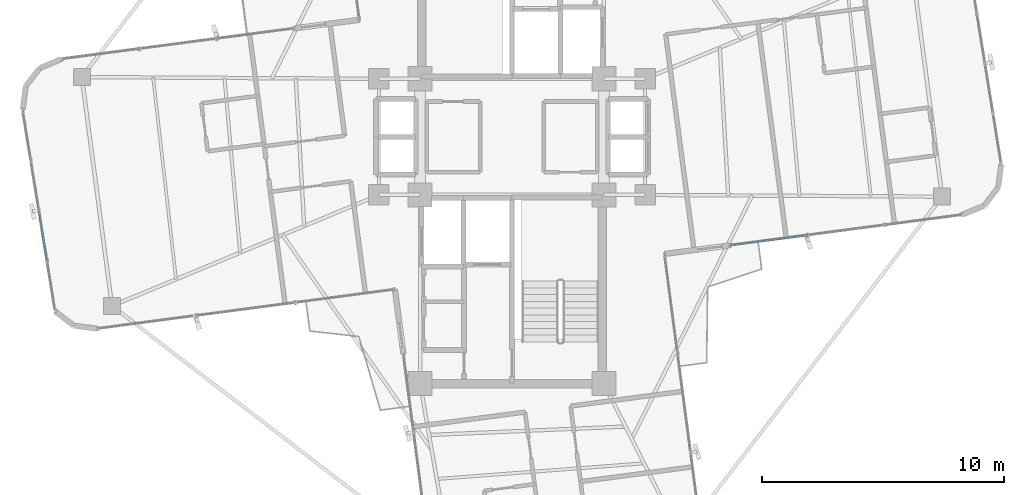
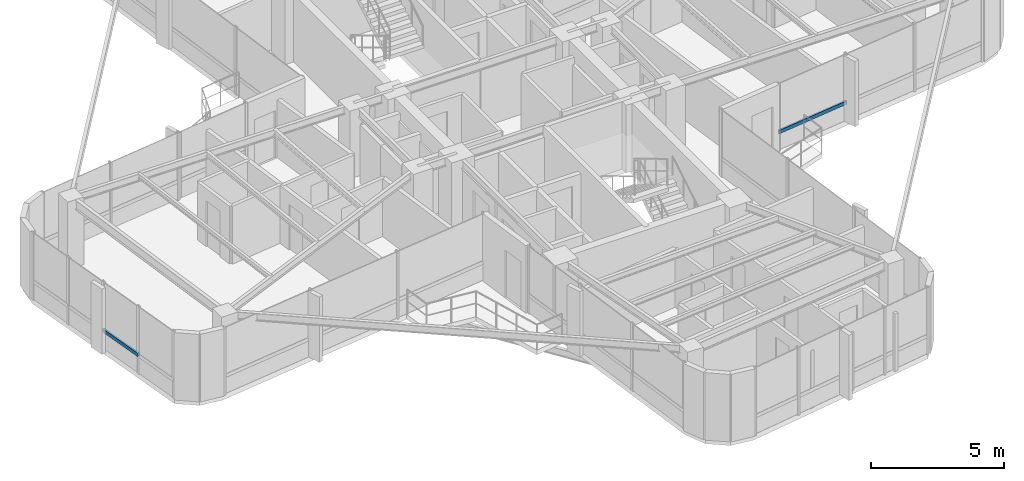
# One storey, part 6 of 22: 2 members, 2 elements without a shape of their own.
"""IFC4 building model written with IfcOpenShell, lengths in metres."""

from ifc_helpers import new_model, si_unit, direction, frame, origin, origin_2d, place, context, subcontext, project, spatial, hollow_rectangle, extrude, source, transform, mapped, material, material_profile, profile_set, type_object, element, aggregate, save


model = new_model("IFC4")

# Units and contexts
model_context = context("Model", 3, precision=1e-05, world=origin(), true_north=direction((0.0, 1.0)))
body_context = subcontext(model_context, "Body", "Model", "MODEL_VIEW")
ifc_project = project(units=[si_unit("LENGTHUNIT", "METRE"), si_unit("AREAUNIT", "SQUARE_METRE"), si_unit("VOLUMEUNIT", "CUBIC_METRE"), si_unit("PLANEANGLEUNIT", "RADIAN"), si_unit("MASSUNIT", "GRAM", prefix="KILO")], contexts=[model_context])

# Site, building, storey
site_placement = place(None, origin())
site = spatial("IfcSite", under=ifc_project, at=site_placement, CompositionType="ELEMENT")
building_placement = place(site_placement, origin())
building = spatial("IfcBuilding", under=site, at=building_placement, Name="Sahyath Konkavel Grand Hotel", CompositionType="ELEMENT")
storey_placement = place(building_placement, frame((0.0, 0.0, 241.14990234375)))
storey = spatial("IfcBuildingStorey", under=building, at=storey_placement, Name="L67", CompositionType="ELEMENT", Elevation=241.14990234375)

# Curtain wall, member
ifc_material_1 = material(Name="Anodised Bronze Aluminium & Low-E Glazing", Category="aluminium")
curtain_wall_type = type_object("IfcCurtainWallType", Name="CW-ZONE4", PredefinedType="NOTDEFINED", material=ifc_material_1)
curtain_wall_1_placement = place(storey_placement, origin())
curtain_wall_1 = element("IfcCurtainWall", 1, at=curtain_wall_1_placement, inside=storey, type_object=curtain_wall_type, Name="L67 Unitised Curtain Wall F0", PredefinedType="NOTDEFINED")
ifc_material_2 = material(Name="Anodised Bronze Aluminium", Category="aluminium")
ifc_material_profile = material_profile(ifc_material_2, hollow_rectangle(XDim=0.080078125, YDim=0.159912109375, WallThickness=0.006103515625, at=origin_2d()), Name="RHS 160x80x6")
ifc_profile_set = profile_set([ifc_material_profile], Name="Anodised Bronze Aluminium")
member_type = type_object("IfcMemberType", Name="CW-TRN-160", PredefinedType="USERDEFINED", material=ifc_profile_set)
shared_shape_1 = source(origin(), body_context, "Body", "SweptSolid", [
    extrude(hollow_rectangle(XDim=0.080078125, YDim=0.159912109375, WallThickness=0.006103515625, at=origin_2d()), origin(), (0.0, 0.0, 1.0), 3.21875),
])
member_1_placement = place(storey_placement, frame((9.023193359375, -4.481689453125, 0.85009765625), z_axis=(0.991443190606, 0.130538882337, 0.0), x_axis=(-0.130538882337, 0.991443190606, 0.0)))
member_1 = element("IfcMember", 2, at=member_1_placement, type_object=member_type, Name="L67 Curtain Wall Transom F0-0-spandrel", ObjectType="TRANSOM", PredefinedType="USERDEFINED", context=body_context, shape_type="MappedRepresentation", body=[
    mapped(shared_shape_1, transform((0.0, 0.0, 0.0), scale=1.0)),
])
aggregate(curtain_wall_1, [member_1])

curtain_wall_2_placement = place(storey_placement, origin())
curtain_wall_2 = element("IfcCurtainWall", 3, at=curtain_wall_2_placement, inside=storey, type_object=curtain_wall_type, Name="L67 Unitised Curtain Wall F20", PredefinedType="NOTDEFINED")
shared_shape_2 = source(origin(), body_context, "Body", "SweptSolid", [
    extrude(hollow_rectangle(XDim=0.080078125, YDim=0.159912109375, WallThickness=0.006103515625, at=origin_2d()), origin(), (0.0, 0.0, 1.0), 2.09765625),
])
member_2_placement = place(storey_placement, frame((-19.553466796875, -3.040771484375, 0.85009765625), z_axis=(0.159451990937, -0.987205684033, 0.0), x_axis=(0.987205684033, 0.159451990937, 0.0)))
member_2 = element("IfcMember", 4, at=member_2_placement, type_object=member_type, Name="L67 Curtain Wall Transom F20-2-spandrel", ObjectType="TRANSOM", PredefinedType="USERDEFINED", context=body_context, shape_type="MappedRepresentation", body=[
    mapped(shared_shape_2, transform((0.0, 0.0, 0.0), scale=1.0)),
])
aggregate(curtain_wall_2, [member_2])

save(model, "model.ifc")
